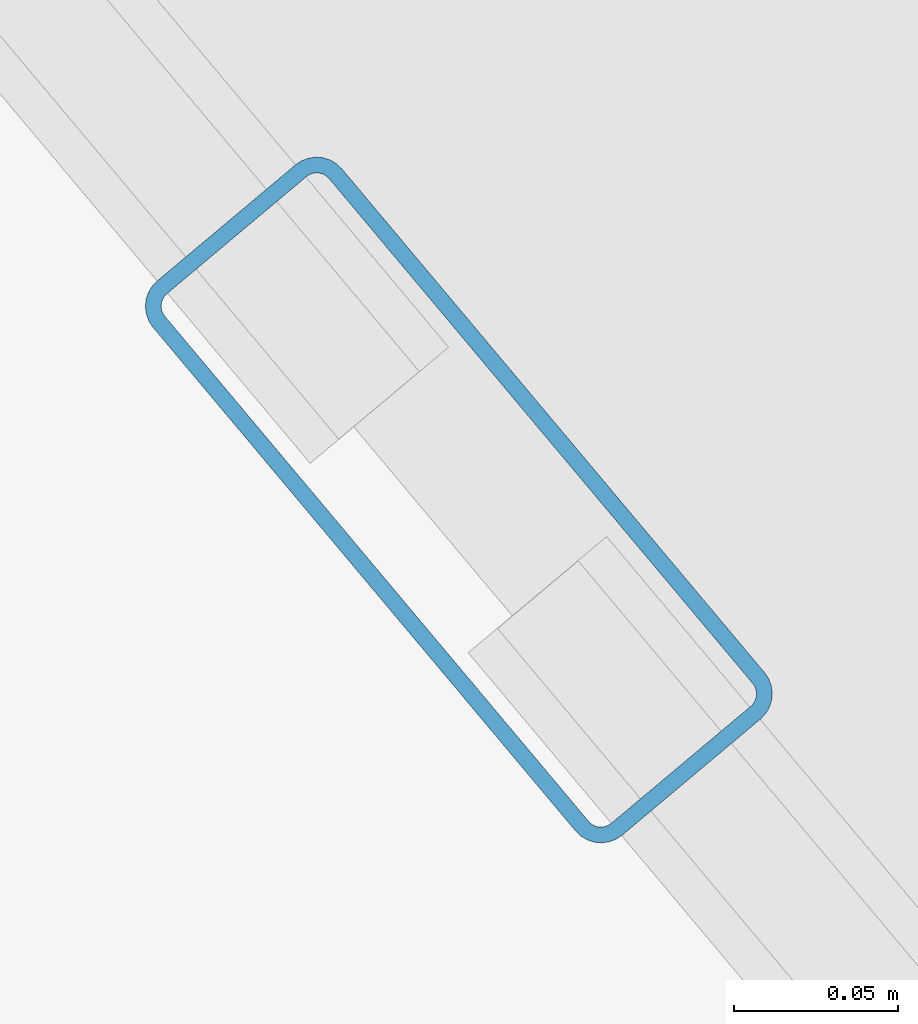
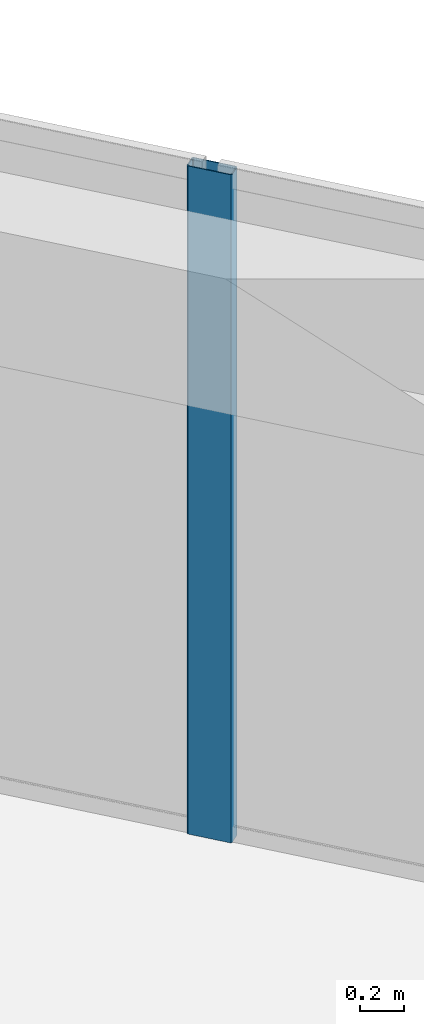
# One storey, part 11 of 17: 1 member, 1 element without a shape of its own.
"""IFC4 building model written with IfcOpenShell, lengths in metres."""

import ifcopenshell
import ifcopenshell.guid

model = None  # the IFC model being written
_history = None  # IfcOwnerHistory: only IFC2X3 demands one
_inside = {}  # id of a spatial element -> (the spatial element, [elements in it])
_under = {}  # id of a project, library or spatial element -> (it, [spatial elements below it])
_declared = {}  # id of a project -> (the project, [libraries it declares])
_typed = {}  # id of a type object -> (the type object, [elements of that type])
_made_of = {}  # id of a material, layer set ... -> (it, [elements and type objects made of it])


def new_model(schema):
    """Start an empty IFC model of exactly this schema.

    Asked for "IFC4X3", IfcOpenShell would pick the latest addendum, in which some entities
    have other attributes; the version numbers below select the first issue.
    IFC2X3 requires an IfcOwnerHistory on every rooted entity: one is made here for all.
    """
    global model, _history
    if schema == "IFC4X3":
        model = ifcopenshell.file(schema_version=(4, 3, 0, 0))
    else:
        model = ifcopenshell.file(schema=schema)
    _inside.clear()
    _under.clear()
    _declared.clear()
    _typed.clear()
    _made_of.clear()
    _history = None
    if model.schema == "IFC2X3":
        org = make("IfcOrganization", Name="unknown")
        user = make(
            "IfcPersonAndOrganization",
            ThePerson=make("IfcPerson", FamilyName="unknown"),
            TheOrganization=org,
        )
        app = make(
            "IfcApplication",
            ApplicationDeveloper=org,
            Version="unknown",
            ApplicationFullName="unknown",
            ApplicationIdentifier="unknown",
        )
        _history = make(
            "IfcOwnerHistory",
            OwningUser=user,
            OwningApplication=app,
            ChangeAction="ADDED",
            CreationDate=0,
        )
    return model


def make(cls, **values):
    """One entity of the class cls with the attributes given. An attribute that is None is left unset."""
    return model.create_entity(
        cls, **{name: value for name, value in values.items() if value is not None}
    )


def rooted(cls, **values):
    """An entity with a GlobalId (a new one), such as an element, a storey or a relation."""
    return make(cls, GlobalId=ifcopenshell.guid.new(), OwnerHistory=_history, **values)


def si_unit(unit_type, name, prefix=None):
    """IfcSIUnit, for example si_unit("LENGTHUNIT", "METRE", prefix="MILLI")."""
    return make("IfcSIUnit", UnitType=unit_type, Prefix=prefix, Name=name)


def assignment(units):
    """IfcUnitAssignment: the units of a project."""
    return None if units is None else make("IfcUnitAssignment", Units=units)


def point(xyz):
    """IfcCartesianPoint."""
    return None if xyz is None else make("IfcCartesianPoint", Coordinates=xyz)


def direction(xyz):
    """IfcDirection."""
    return None if xyz is None else make("IfcDirection", DirectionRatios=xyz)


def frame(location, z_axis=None, x_axis=None):
    """IfcAxis2Placement3D, a coordinate frame: its origin and axes. An axis left out is left unset."""
    return make(
        "IfcAxis2Placement3D",
        Location=point(location),
        Axis=direction(z_axis),
        RefDirection=direction(x_axis),
    )


def frame_2d(location, x_axis=None):
    """IfcAxis2Placement2D, a coordinate frame in the plane: its origin and x axis."""
    return make(
        "IfcAxis2Placement2D", Location=point(location), RefDirection=direction(x_axis)
    )


def origin():
    """The frame at (0, 0, 0) with its axes left unset."""
    return frame((0.0, 0.0, 0.0))


def origin_2d():
    """The frame at (0, 0) in the plane with its x axis left unset."""
    return frame_2d((0.0, 0.0))


def place(relative_to, where):
    """IfcLocalPlacement: puts the frame where relative to a parent placement (None: the world)."""
    return make(
        "IfcLocalPlacement", PlacementRelTo=relative_to, RelativePlacement=where
    )


def context(
    kind, dimensions, precision=None, world=None, true_north=None, identifier=None
):
    """IfcGeometricRepresentationContext, for example the 3D "Model" context."""
    return make(
        "IfcGeometricRepresentationContext",
        ContextIdentifier=identifier,
        ContextType=kind,
        CoordinateSpaceDimension=dimensions,
        Precision=precision,
        WorldCoordinateSystem=world,
        TrueNorth=true_north,
    )


def subcontext(parent, identifier, kind, view, scale=None):
    """IfcGeometricRepresentationSubContext, for example "Body" below "Model"."""
    return make(
        "IfcGeometricRepresentationSubContext",
        ContextIdentifier=identifier,
        ContextType=kind,
        ParentContext=parent,
        TargetScale=scale,
        TargetView=view,
    )


def project(units=None, contexts=None):
    """IfcProject with its units and contexts."""
    return rooted(
        "IfcProject",
        Name="project",
        RepresentationContexts=contexts,
        UnitsInContext=assignment(units),
    )


def spatial(cls, under=None, at=None, **own):
    """A site, building, storey or space (cls), placed at a placement, below another one or the project."""
    s = rooted(cls, ObjectPlacement=at, **own)
    if under is not None:
        _under.setdefault(under.id(), (under, []))[1].append(s)
    return s


def profile(cls, at=None, kind="AREA", **sizes):
    """A parametric profile (cls). Its sizes go by their IFC names, for example OverallWidth=200.0."""
    return make(cls, ProfileType=kind, Position=at, **sizes)


def hollow_rectangle(**sizes):
    """IfcRectangleHollowProfileDef."""
    return profile("IfcRectangleHollowProfileDef", **sizes)


def extrude(swept, where, along, depth):
    """IfcExtrudedAreaSolid: the profile swept, set in the frame where, extruded along a direction by depth."""
    return make(
        "IfcExtrudedAreaSolid",
        SweptArea=swept,
        Position=where,
        ExtrudedDirection=direction(along),
        Depth=depth,
    )


def shape(context_of_items, identifier, shape_type, items):
    """IfcShapeRepresentation: the items that make up one representation, for example the "Body"."""
    return make(
        "IfcShapeRepresentation",
        ContextOfItems=context_of_items,
        RepresentationIdentifier=identifier,
        RepresentationType=shape_type,
        Items=items,
    )


def source(mapping_origin, context_of_items, identifier, shape_type, items):
    """IfcRepresentationMap: a shape defined once, which mapped items show again and again."""
    return make(
        "IfcRepresentationMap",
        MappingOrigin=mapping_origin,
        MappedRepresentation=shape(context_of_items, identifier, shape_type, items),
    )


def transform(
    local_origin,
    x_axis=None,
    y_axis=None,
    z_axis=None,
    scale=None,
    scale2=None,
    scale3=None,
    uniform=True,
):
    """IfcCartesianTransformationOperator3D, or its non-uniform kind. x_axis, y_axis, z_axis: its Axis1, 2, 3."""
    if uniform:
        return make(
            "IfcCartesianTransformationOperator3D",
            Axis1=direction(x_axis),
            Axis2=direction(y_axis),
            LocalOrigin=point(local_origin),
            Scale=scale,
            Axis3=direction(z_axis),
        )
    return make(
        "IfcCartesianTransformationOperator3DnonUniform",
        Axis1=direction(x_axis),
        Axis2=direction(y_axis),
        LocalOrigin=point(local_origin),
        Scale=scale,
        Axis3=direction(z_axis),
        Scale2=scale2,
        Scale3=scale3,
    )


def mapped(mapping_source, mapping_target):
    """IfcMappedItem: shows the shape of a source again, moved by a transform."""
    return make(
        "IfcMappedItem", MappingSource=mapping_source, MappingTarget=mapping_target
    )


def material(Name=None, Category=None):
    """IfcMaterial."""
    return make("IfcMaterial", Name=Name, Category=Category)


def material_profile(
    of_material, cross_section, Name=None, Category=None, Priority=None
):
    """IfcMaterialProfile: a cross section and its material."""
    return make(
        "IfcMaterialProfile",
        Name=Name,
        Material=of_material,
        Profile=cross_section,
        Priority=Priority,
        Category=Category,
    )


def profile_set(profiles, Name=None, composite=None):
    """IfcMaterialProfileSet."""
    return make(
        "IfcMaterialProfileSet",
        Name=Name,
        MaterialProfiles=profiles,
        CompositeProfile=composite,
    )


def made_of(thing, what):
    """Note that an element or type object is made of a material, layer set ...; save() writes the relation."""
    if what is not None:
        _made_of.setdefault(what.id(), (what, []))[1].append(thing)
    return thing


def type_object(cls, material=None, **own):
    """A type object (cls), such as IfcWallType, which elements share."""
    return made_of(rooted(cls, **own), material)


def element(
    cls,
    number,
    at=None,
    inside=None,
    cuts=None,
    type_object=None,
    material=None,
    context=None,
    identifier="Body",
    shape_type=None,
    held_by="IfcProductDefinitionShape",
    body=None,
    shapes=None,
    **own,
):
    """One element of the class cls, such as IfcWall. Its Tag is "e" and its number.

    at: its placement. inside: the storey or other place that contains it. cuts: it is an
    opening in that element (IfcRelVoidsElement). A single representation is given by context,
    identifier, shape_type and body (its items); several are given by shapes. held_by: the class
    of the entity that holds the representations. save() writes the other relations.
    """
    e = rooted(cls, Tag="e%d" % number, ObjectPlacement=at, **own)
    if body is not None:
        shapes = [shape(context, identifier, shape_type, body)]
    if shapes is not None:
        e.Representation = make(held_by, Representations=shapes)
    if inside is not None:
        _inside.setdefault(inside.id(), (inside, []))[1].append(e)
    if cuts is not None:
        rooted(
            "IfcRelVoidsElement", RelatingBuildingElement=cuts, RelatedOpeningElement=e
        )
    if type_object is not None:
        _typed.setdefault(type_object.id(), (type_object, []))[1].append(e)
    return made_of(e, material)


def aggregate(whole, parts):
    """IfcRelAggregates: a whole, such as a stair, and the parts it consists of."""
    return rooted("IfcRelAggregates", RelatingObject=whole, RelatedObjects=parts)


def save(model, path):
    """Write the relations noted so far, then the file.

    IfcRelAggregates (storeys below a building ...), IfcRelContainedInSpatialStructure (elements
    in a storey), IfcRelDefinesByType, IfcRelAssociatesMaterial and IfcRelDeclares: one each for
    every whole, place, type object, material and project.
    """
    for whole, parts in _under.values():
        aggregate(whole, parts)
    for where, things in _inside.values():
        rooted(
            "IfcRelContainedInSpatialStructure",
            RelatedElements=things,
            RelatingStructure=where,
        )
    for kind, things in _typed.values():
        rooted("IfcRelDefinesByType", RelatedObjects=things, RelatingType=kind)
    for what, things in _made_of.values():
        rooted("IfcRelAssociatesMaterial", RelatedObjects=things, RelatingMaterial=what)
    for by, libraries in _declared.values():
        rooted("IfcRelDeclares", RelatingContext=by, RelatedDefinitions=libraries)
    model.write(path)


model = new_model("IFC4")

# Units and contexts
model_context = context("Model", 3, precision=1e-05, world=origin(), true_north=direction((0.0, 1.0)))
body_context = subcontext(model_context, "Body", "Model", "MODEL_VIEW")
ifc_project = project(units=[si_unit("LENGTHUNIT", "METRE"), si_unit("AREAUNIT", "SQUARE_METRE"), si_unit("VOLUMEUNIT", "CUBIC_METRE"), si_unit("PLANEANGLEUNIT", "RADIAN"), si_unit("MASSUNIT", "GRAM", prefix="KILO")], contexts=[model_context])

# Site, building, storey
site_placement = place(None, origin())
site = spatial("IfcSite", under=ifc_project, at=site_placement, CompositionType="ELEMENT")
building_placement = place(site_placement, origin())
building = spatial("IfcBuilding", under=site, at=building_placement, Name="Torre Montelarca", CompositionType="ELEMENT")
storey_placement = place(building_placement, frame((0.0, 0.0, 271.0)))
storey = spatial("IfcBuildingStorey", under=building, at=storey_placement, Name="L61", CompositionType="ELEMENT", Elevation=271.0)

# Curtain wall, member
ifc_material_1 = material(Name="Insulated low-E laminated glass", Category="glass")
curtain_wall_type = type_object("IfcCurtainWallType", Name="CW-SYS-Z3", PredefinedType="USERDEFINED", material=ifc_material_1)
curtain_wall_placement = place(storey_placement, origin())
curtain_wall = element("IfcCurtainWall", 1, at=curtain_wall_placement, inside=storey, type_object=curtain_wall_type, Name="L61 Curtain Wall Run CW-T3-L61-E08-B1", ObjectType="UNITISED GLAZING", PredefinedType="USERDEFINED")
ifc_material_2 = material(Name="Anodised aluminium AA 6063-T6", Category="aluminium")
ifc_material_profile = material_profile(ifc_material_2, hollow_rectangle(XDim=0.074951171875, YDim=0.219970703125, WallThickness=0.0048828125, InnerFilletRadius=0.0048828125, OuterFilletRadius=0.010009765625, at=origin_2d()), Name="ALU75X220X5", Category="aluminium")
ifc_profile_set = profile_set([ifc_material_profile], Name="Anodised aluminium AA 6063-T6")
member_type = type_object("IfcMemberType", Name="CWM-ALU220", PredefinedType="MULLION", material=ifc_profile_set)
shared_shape = source(origin(), body_context, "Body", "SweptSolid", [
    extrude(hollow_rectangle(XDim=0.074951171875, YDim=0.219970703125, WallThickness=0.0048828125, InnerFilletRadius=0.0048828125, OuterFilletRadius=0.010009765625, at=origin_2d()), origin(), (0.0, 0.0, 1.0), 3.719970703125),
])
member_placement = place(storey_placement, frame((34.035400390625, 42.0615234375, 0.0), z_axis=(0.0, 0.0, 1.0), x_axis=(-0.766045629367, -0.642786195969, 0.0)))
member = element("IfcMember", 2, at=member_placement, type_object=member_type, Name="CW mullion 2", PredefinedType="MULLION", context=body_context, shape_type="MappedRepresentation", body=[
    mapped(shared_shape, transform((0.0, 0.0, 0.0), scale=1.0)),
])
aggregate(curtain_wall, [member])

save(model, "model.ifc")
